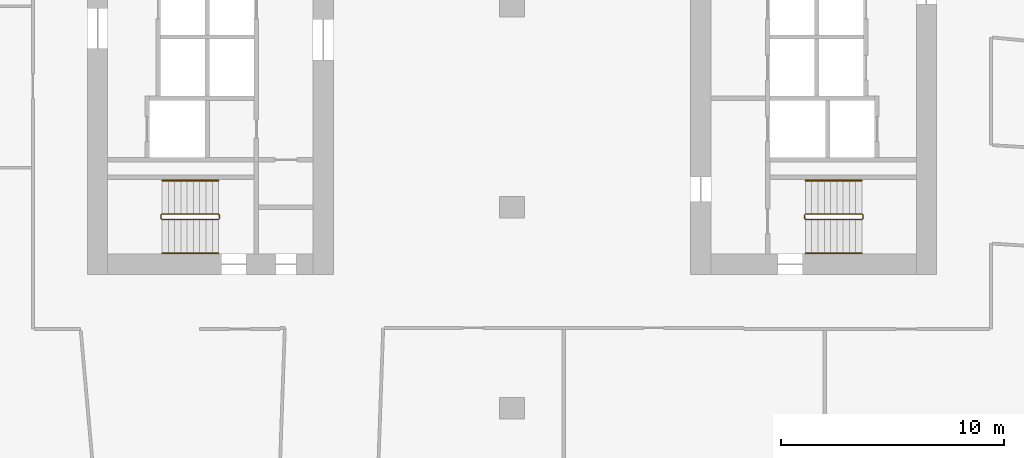
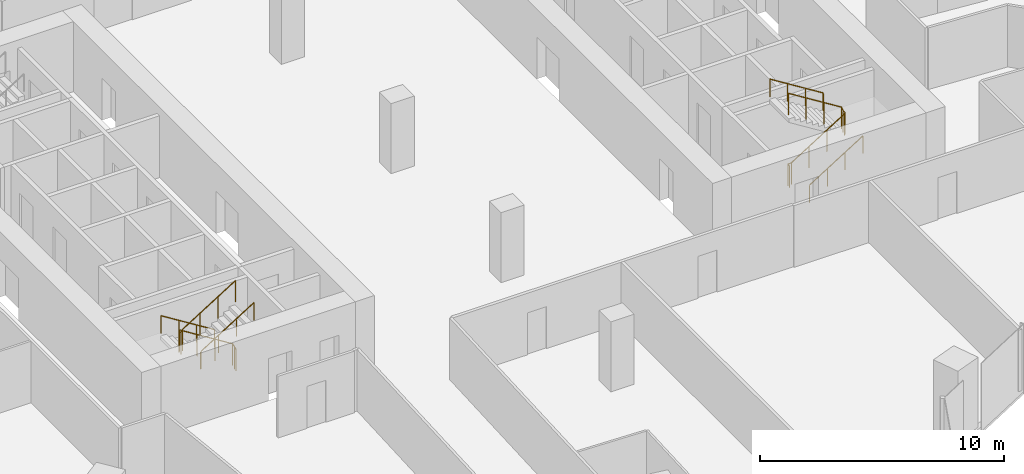
# One storey, part 32 of 34: 6 railings.
"""IFC4 building model written with IfcOpenShell, lengths in metres."""

from ifc_helpers import new_model, si_unit, direction, frame, origin, origin_2d, place, context, subcontext, project, spatial, circle, extrude, material, type_object, element, save


model = new_model("IFC4")

# Units and contexts
model_context = context("Model", 3, precision=1e-05, world=origin(), true_north=direction((0.0, 1.0)))
body_context = subcontext(model_context, "Body", "Model", "MODEL_VIEW")
ifc_project = project(units=[si_unit("LENGTHUNIT", "METRE"), si_unit("AREAUNIT", "SQUARE_METRE"), si_unit("VOLUMEUNIT", "CUBIC_METRE"), si_unit("PLANEANGLEUNIT", "RADIAN"), si_unit("MASSUNIT", "GRAM", prefix="KILO")], contexts=[model_context])

# Site, building, storey
site_placement = place(None, origin())
site = spatial("IfcSite", under=ifc_project, at=site_placement, CompositionType="ELEMENT")
building_placement = place(site_placement, origin())
building = spatial("IfcBuilding", under=site, at=building_placement, Name="Orlundy Tower", CompositionType="ELEMENT")
storey_placement = place(building_placement, frame((0.0, 0.0, 127.199951171875)))
storey = spatial("IfcBuildingStorey", under=building, at=storey_placement, Name="L32", CompositionType="ELEMENT", Elevation=127.199951171875)

# Railings
ifc_material_1 = material(Name="Steel balustrade", Category="steel")
railing_type_1 = type_object("IfcRailingType", Name="Stair Guard 1100", PredefinedType="GUARDRAIL", material=ifc_material_1)
railing_1_placement = place(storey_placement, frame((-13.090087890625, -9.35009765625, 0.0)))
element("IfcRailing", 1, at=railing_1_placement, inside=storey, type_object=railing_type_1, Name="L32 ST-W2 stair guard 1", PredefinedType="GUARDRAIL", context=body_context, shape_type="SweptSolid", body=[
    extrude(circle(Radius=0.02392578125, at=origin_2d()), frame((0.0, 0.0, 1.076171875), z_axis=(0.0, -1.0, 0.0), x_axis=(1.0, 0.0, 0.0)), (0.0, 0.0, 1.0), 0.14990234375),
    extrude(circle(Radius=0.02392578125, at=origin_2d()), frame((0.0, -0.14990234375, 1.076171875), z_axis=(-0.18420542264, 0.739530593833, 0.647427882513), x_axis=(-0.970351222016, -0.241699205484, 0.0)), (0.0, 0.0, 1.0), 0.270263671875),
    extrude(circle(Radius=0.02392578125, at=origin_2d()), frame((-0.0498046875, 0.050048828125, 1.2509765625), z_axis=(-0.848007534815, 0.0, 0.529984170421), x_axis=(0.0, -1.0, 0.0)), (0.0, 0.0, 1.0), 2.9716796875),
    extrude(circle(Radius=0.02392578125, at=origin_2d()), frame((-2.56982421875, 0.050048828125, 2.826171875), z_axis=(-0.707106781187, -0.707106781187, 0.0), x_axis=(0.707106781187, -0.707106781187, 0.0)), (0.0, 0.0, 1.0), 0.07080078125),
    extrude(circle(Radius=0.02392578125, at=origin_2d()), frame((-2.619873046875, 0.0, 2.826171875), z_axis=(0.0, -1.0, 0.0), x_axis=(1.0, 0.0, 0.0)), (0.0, 0.0, 1.0), 0.14990234375),
    extrude(circle(Radius=0.02392578125, at=origin_2d()), frame((-2.619873046875, -0.14990234375, 2.826171875), z_axis=(0.265065253269, -0.265065253269, 0.927081885822), x_axis=(0.707106781187, 0.707106781187, 0.0)), (0.0, 0.0, 1.0), 0.188720703125),
    extrude(circle(Radius=0.02392578125, at=origin_2d()), frame((-2.56982421875, -0.199951171875, 3.0009765625), z_axis=(0.848007534815, 0.0, 0.529984170421), x_axis=(0.0, 1.0, 0.0)), (0.0, 0.0, 1.0), 2.9716796875),
    extrude(circle(Radius=0.02099609375, at=origin_2d()), origin(), (0.0, 0.0, 1.0), 1.052001953125),
    extrude(circle(Radius=0.02099609375, at=origin_2d()), frame((0.0, -0.14990234375, 0.0)), (0.0, 0.0, 1.0), 1.052001953125),
    extrude(circle(Radius=0.02099609375, at=origin_2d()), frame((-0.0498046875, 0.050048828125, 0.175048828125)), (0.0, 0.0, 1.0), 1.052001953125),
    extrude(circle(Radius=0.02099609375, at=origin_2d()), frame((-0.889892578125, 0.050048828125, 0.699951171875)), (0.0, 0.0, 1.0), 1.052001953125),
    extrude(circle(Radius=0.02099609375, at=origin_2d()), frame((-1.729736328125, 0.050048828125, 1.22509765625)), (0.0, 0.0, 1.0), 1.052001953125),
    extrude(circle(Radius=0.02099609375, at=origin_2d()), frame((-2.56982421875, 0.050048828125, 1.75)), (0.0, 0.0, 1.0), 1.052001953125),
    extrude(circle(Radius=0.02099609375, at=origin_2d()), frame((-2.619873046875, 0.0, 1.75)), (0.0, 0.0, 1.0), 1.052001953125),
    extrude(circle(Radius=0.02099609375, at=origin_2d()), frame((-2.619873046875, -0.14990234375, 1.75)), (0.0, 0.0, 1.0), 1.052001953125),
    extrude(circle(Radius=0.02099609375, at=origin_2d()), frame((-2.56982421875, -0.199951171875, 1.925048828125)), (0.0, 0.0, 1.0), 1.052001953125),
    extrude(circle(Radius=0.02099609375, at=origin_2d()), frame((-1.729736328125, -0.199951171875, 2.449951171875)), (0.0, 0.0, 1.0), 1.052001953125),
    extrude(circle(Radius=0.02099609375, at=origin_2d()), frame((-0.889892578125, -0.199951171875, 2.97509765625)), (0.0, 0.0, 1.0), 1.052001953125),
    extrude(circle(Radius=0.02099609375, at=origin_2d()), frame((-0.0498046875, -0.199951171875, 3.5)), (0.0, 0.0, 1.0), 1.052001953125),
])
railing_2_placement = place(storey_placement, frame((13.090087890625, -9.5, 0.0)))
element("IfcRailing", 2, at=railing_2_placement, inside=storey, type_object=railing_type_1, Name="L32 ST-E1 stair guard 1", PredefinedType="GUARDRAIL", context=body_context, shape_type="SweptSolid", body=[
    extrude(circle(Radius=0.02392578125, at=origin_2d()), frame((0.0, 0.0, 1.076171875), z_axis=(0.0, 1.0, 0.0), x_axis=(-1.0, 0.0, 0.0)), (0.0, 0.0, 1.0), 0.14990234375),
    extrude(circle(Radius=0.02392578125, at=origin_2d()), frame((0.0, 0.14990234375, 1.076171875), z_axis=(0.18420542264, -0.739530593833, 0.647427882513), x_axis=(0.970351222016, 0.241699205484, 0.0)), (0.0, 0.0, 1.0), 0.270263671875),
    extrude(circle(Radius=0.02392578125, at=origin_2d()), frame((0.0498046875, -0.050048828125, 1.2509765625), z_axis=(0.848007534815, 0.0, 0.529984170421), x_axis=(0.0, 1.0, 0.0)), (0.0, 0.0, 1.0), 2.9716796875),
    extrude(circle(Radius=0.02392578125, at=origin_2d()), frame((2.56982421875, -0.050048828125, 2.826171875), z_axis=(0.707106781187, 0.707106781187, 0.0), x_axis=(-0.707106781187, 0.707106781187, 0.0)), (0.0, 0.0, 1.0), 0.07080078125),
    extrude(circle(Radius=0.02392578125, at=origin_2d()), frame((2.619873046875, 0.0, 2.826171875), z_axis=(0.0, 1.0, 0.0), x_axis=(-1.0, 0.0, 0.0)), (0.0, 0.0, 1.0), 0.14990234375),
    extrude(circle(Radius=0.02392578125, at=origin_2d()), frame((2.619873046875, 0.14990234375, 2.826171875), z_axis=(-0.265065253269, 0.265065253269, 0.927081885822), x_axis=(-0.707106781187, -0.707106781187, 0.0)), (0.0, 0.0, 1.0), 0.188720703125),
    extrude(circle(Radius=0.02392578125, at=origin_2d()), frame((2.56982421875, 0.199951171875, 3.0009765625), z_axis=(-0.848007534815, 0.0, 0.529984170421), x_axis=(0.0, -1.0, 0.0)), (0.0, 0.0, 1.0), 2.9716796875),
    extrude(circle(Radius=0.02099609375, at=origin_2d()), origin(), (0.0, 0.0, 1.0), 1.052001953125),
    extrude(circle(Radius=0.02099609375, at=origin_2d()), frame((0.0, 0.14990234375, 0.0)), (0.0, 0.0, 1.0), 1.052001953125),
    extrude(circle(Radius=0.02099609375, at=origin_2d()), frame((0.0498046875, -0.050048828125, 0.175048828125)), (0.0, 0.0, 1.0), 1.052001953125),
    extrude(circle(Radius=0.02099609375, at=origin_2d()), frame((0.889892578125, -0.050048828125, 0.699951171875)), (0.0, 0.0, 1.0), 1.052001953125),
    extrude(circle(Radius=0.02099609375, at=origin_2d()), frame((1.729736328125, -0.050048828125, 1.22509765625)), (0.0, 0.0, 1.0), 1.052001953125),
    extrude(circle(Radius=0.02099609375, at=origin_2d()), frame((2.56982421875, -0.050048828125, 1.75)), (0.0, 0.0, 1.0), 1.052001953125),
    extrude(circle(Radius=0.02099609375, at=origin_2d()), frame((2.619873046875, 0.0, 1.75)), (0.0, 0.0, 1.0), 1.052001953125),
    extrude(circle(Radius=0.02099609375, at=origin_2d()), frame((2.619873046875, 0.14990234375, 1.75)), (0.0, 0.0, 1.0), 1.052001953125),
    extrude(circle(Radius=0.02099609375, at=origin_2d()), frame((2.56982421875, 0.199951171875, 1.925048828125)), (0.0, 0.0, 1.0), 1.052001953125),
    extrude(circle(Radius=0.02099609375, at=origin_2d()), frame((1.729736328125, 0.199951171875, 2.449951171875)), (0.0, 0.0, 1.0), 1.052001953125),
    extrude(circle(Radius=0.02099609375, at=origin_2d()), frame((0.889892578125, 0.199951171875, 2.97509765625)), (0.0, 0.0, 1.0), 1.052001953125),
    extrude(circle(Radius=0.02099609375, at=origin_2d()), frame((0.0498046875, 0.199951171875, 3.5)), (0.0, 0.0, 1.0), 1.052001953125),
])
ifc_material_2 = material(Name="Steel handrail", Category="steel")
railing_type_2 = type_object("IfcRailingType", Name="Stair Handrail 900", PredefinedType="HANDRAIL", material=ifc_material_2)
railing_3_placement = place(storey_placement, frame((-13.139892578125, -7.800048828125, 0.175048828125)))
element("IfcRailing", 3, at=railing_3_placement, inside=storey, type_object=railing_type_2, Name="L32 ST-W2 stair handrail 1", PredefinedType="HANDRAIL", context=body_context, shape_type="SweptSolid", body=[
    extrude(circle(Radius=0.02392578125, at=origin_2d()), frame((0.0, 0.0, 0.8759765625), z_axis=(-0.848007534815, 0.0, 0.529984170421), x_axis=(0.0, -1.0, 0.0)), (0.0, 0.0, 1.0), 2.9716796875),
    extrude(circle(Radius=0.02099609375, at=origin_2d()), origin(), (0.0, 0.0, 1.0), 0.851806640625),
    extrude(circle(Radius=0.02099609375, at=origin_2d()), frame((-0.840087890625, 0.0, 0.52490234375)), (0.0, 0.0, 1.0), 0.851806640625),
    extrude(circle(Radius=0.02099609375, at=origin_2d()), frame((-1.679931640625, 0.0, 1.050048828125)), (0.0, 0.0, 1.0), 0.851806640625),
    extrude(circle(Radius=0.02099609375, at=origin_2d()), frame((-2.52001953125, 0.0, 1.574951171875)), (0.0, 0.0, 1.0), 0.851806640625),
])
for number, where, name in (
    (4, (-15.659912109375, -11.050048828125, 1.925048828125), "L32 ST-W2 stair handrail 2"),
    (5, (13.139892578125, -11.050048828125, 0.175048828125), "L32 ST-E1 stair handrail 1"),
):
    element("IfcRailing", number, at=place(storey_placement, frame(where)), inside=storey, type_object=railing_type_2, Name=name, PredefinedType="HANDRAIL", context=body_context, shape_type="SweptSolid", body=[
        extrude(circle(Radius=0.02392578125, at=origin_2d()), frame((0.0, 0.0, 0.8759765625), z_axis=(0.848007534815, 0.0, 0.529984170421), x_axis=(0.0, 1.0, 0.0)), (0.0, 0.0, 1.0), 2.9716796875),
        extrude(circle(Radius=0.02099609375, at=origin_2d()), origin(), (0.0, 0.0, 1.0), 0.851806640625),
        extrude(circle(Radius=0.02099609375, at=origin_2d()), frame((0.840087890625, 0.0, 0.52490234375)), (0.0, 0.0, 1.0), 0.851806640625),
        extrude(circle(Radius=0.02099609375, at=origin_2d()), frame((1.679931640625, 0.0, 1.050048828125)), (0.0, 0.0, 1.0), 0.851806640625),
        extrude(circle(Radius=0.02099609375, at=origin_2d()), frame((2.52001953125, 0.0, 1.574951171875)), (0.0, 0.0, 1.0), 0.851806640625),
    ])
railing_4_placement = place(storey_placement, frame((15.659912109375, -7.800048828125, 1.925048828125)))
element("IfcRailing", 6, at=railing_4_placement, inside=storey, type_object=railing_type_2, Name="L32 ST-E1 stair handrail 2", PredefinedType="HANDRAIL", context=body_context, shape_type="SweptSolid", body=[
    extrude(circle(Radius=0.02392578125, at=origin_2d()), frame((0.0, 0.0, 0.8759765625), z_axis=(-0.848007534815, 0.0, 0.529984170421), x_axis=(0.0, -1.0, 0.0)), (0.0, 0.0, 1.0), 2.9716796875),
    extrude(circle(Radius=0.02099609375, at=origin_2d()), origin(), (0.0, 0.0, 1.0), 0.851806640625),
    extrude(circle(Radius=0.02099609375, at=origin_2d()), frame((-0.840087890625, 0.0, 0.52490234375)), (0.0, 0.0, 1.0), 0.851806640625),
    extrude(circle(Radius=0.02099609375, at=origin_2d()), frame((-1.679931640625, 0.0, 1.050048828125)), (0.0, 0.0, 1.0), 0.851806640625),
    extrude(circle(Radius=0.02099609375, at=origin_2d()), frame((-2.52001953125, 0.0, 1.574951171875)), (0.0, 0.0, 1.0), 0.851806640625),
])

save(model, "model.ifc")
